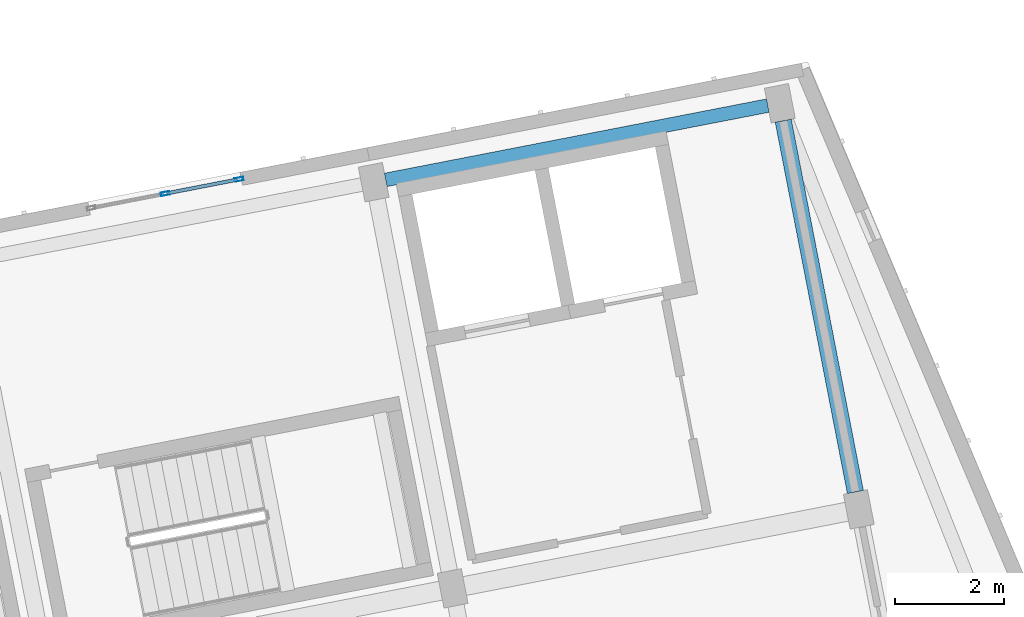
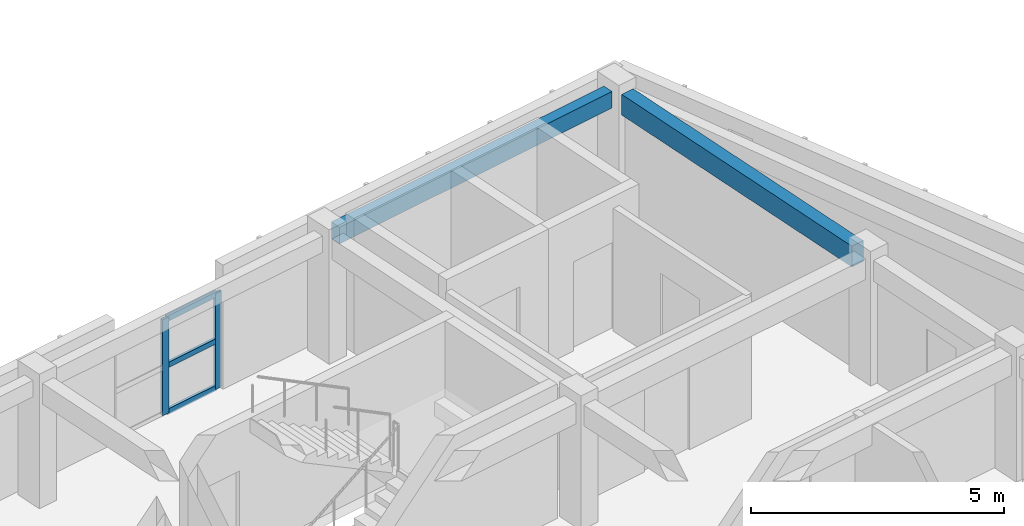
# One storey, part 10 of 65: 5 members, 2 beams, 1 element without a shape of its own.
"""IFC4 building model written with IfcOpenShell, lengths in metres."""

from ifc_helpers import new_model, si_unit, direction, frame, origin, origin_2d, place, context, subcontext, project, spatial, rectangle, hollow_rectangle, extrude, material, material_profile, profile_set, type_object, element, aggregate, save


model = new_model("IFC4")

# Units and contexts
model_context = context("Model", 3, precision=1e-05, world=origin(), true_north=direction((0.0, 1.0)))
body_context = subcontext(model_context, "Body", "Model", "MODEL_VIEW")
ifc_project = project(units=[si_unit("LENGTHUNIT", "METRE"), si_unit("AREAUNIT", "SQUARE_METRE"), si_unit("VOLUMEUNIT", "CUBIC_METRE"), si_unit("PLANEANGLEUNIT", "RADIAN"), si_unit("MASSUNIT", "GRAM", prefix="KILO")], contexts=[model_context])

# Site, building, storey
site_placement = place(None, origin())
site = spatial("IfcSite", under=ifc_project, at=site_placement, CompositionType="ELEMENT")
building_placement = place(site_placement, origin())
building = spatial("IfcBuilding", under=site, at=building_placement, Name="Kestramere Prow Commons", CompositionType="ELEMENT")
storey_placement = place(building_placement, frame((0.0, 0.0, 21.39990234375)))
storey = spatial("IfcBuildingStorey", under=building, at=storey_placement, Name="L06", CompositionType="ELEMENT", Elevation=21.39990234375)

# Beam
ifc_material_1 = material(Name="Precast concrete C40/50", Category="concrete")
ifc_material_profile_1 = material_profile(ifc_material_1, rectangle(XDim=0.300048828125, YDim=0.5, at=origin_2d()), Name="PC-BM 300x500")
ifc_profile_set_1 = profile_set([ifc_material_profile_1], Name="Precast concrete C40/50")
beam_type_1 = type_object("IfcBeamType", Name="BM-TIE-01 PC-BM 300x500", PredefinedType="BEAM", material=ifc_profile_set_1)
beam_1_placement = place(storey_placement, frame((160.810546875, 54.799560546875, 2.75), z_axis=(-0.190817005532, 0.981625626397, 0.0), x_axis=(-0.981625626397, -0.190817005532, 0.0)))
element("IfcBeam", 1, at=beam_1_placement, inside=storey, type_object=beam_type_1, Name="Block D L06 Transverse Beam 7-3", PredefinedType="BEAM", context=body_context, shape_type="SweptSolid", body=[
    extrude(rectangle(XDim=0.300048828125, YDim=0.5, at=origin_2d()), origin(), (0.0, 0.0, 1.0), 6.949951171875),
])

# Curtain wall, members
ifc_material_2 = material(Name="Anodised Aluminium and Low-E Glass", Category="aluminium")
curtain_wall_type = type_object("IfcCurtainWallType", Name="CW-03 Glazed Curtain Wall 2830x2320", PredefinedType="USERDEFINED", material=ifc_material_2)
curtain_wall_placement = place(storey_placement, origin())
curtain_wall = element("IfcCurtainWall", 2, at=curtain_wall_placement, inside=storey, type_object=curtain_wall_type, Name="Block D L06 Stairwell Vertical Glazing 5", ObjectType="GLAZED CURTAIN WALL", PredefinedType="USERDEFINED")
ifc_material_3 = material(Name="Anodised Aluminium 6063-T6", Category="aluminium")
ifc_material_profile_2 = material_profile(ifc_material_3, hollow_rectangle(XDim=0.06494140625, YDim=0.159912109375, WallThickness=0.00390625, at=origin_2d()), Name="ALU-MUL 65x160")
ifc_profile_set_2 = profile_set([ifc_material_profile_2], Name="Anodised Aluminium 6063-T6")
member_type_1 = type_object("IfcMemberType", Name="CW-MUL-65x160", PredefinedType="MULLION", material=ifc_profile_set_2)
member_1_placement = place(storey_placement, frame((148.131591796875, 60.281005859375, 0.0), z_axis=(0.0, 0.0, 1.0), x_axis=(-0.190808835118, 0.981627214599, 0.0)))
member_1 = element("IfcMember", 3, at=member_1_placement, type_object=member_type_1, Name="CW-03 mullion 2", PredefinedType="MULLION", context=body_context, shape_type="SweptSolid", body=[
    extrude(hollow_rectangle(XDim=0.06494140625, YDim=0.159912109375, WallThickness=0.00390625, at=origin_2d()), origin(), (0.0, 0.0, 1.0), 2.320068359375),
])
member_2_placement = place(storey_placement, frame((149.48876953125, 60.544677734375, 0.0), z_axis=(0.0, 0.0, 1.0), x_axis=(-0.190808835118, 0.981627214599, 0.0)))
member_2 = element("IfcMember", 4, at=member_2_placement, type_object=member_type_1, Name="CW-03 mullion 3", PredefinedType="MULLION", context=body_context, shape_type="SweptSolid", body=[
    extrude(hollow_rectangle(XDim=0.06494140625, YDim=0.159912109375, WallThickness=0.00390625, at=origin_2d()), origin(), (0.0, 0.0, 1.0), 2.320068359375),
])
ifc_material_profile_3 = material_profile(ifc_material_3, hollow_rectangle(XDim=0.06494140625, YDim=0.1298828125, WallThickness=0.00390625, at=origin_2d()), Name="ALU-TRN 65x130")
ifc_profile_set_3 = profile_set([ifc_material_profile_3], Name="Anodised Aluminium 6063-T6")
member_type_2 = type_object("IfcMemberType", Name="CW-TRN-65x130", PredefinedType="USERDEFINED", material=ifc_profile_set_3)
member_3_placement = place(storey_placement, frame((148.16357421875, 60.287109375, 0.03271484375), z_axis=(0.981614425191, 0.190874619208, 0.0), x_axis=(-0.190874619208, 0.981614425191, 0.0)))
member_3 = element("IfcMember", 5, at=member_3_placement, type_object=member_type_2, Name="CW-03 transom 2.1", ObjectType="TRANSOM", PredefinedType="USERDEFINED", context=body_context, shape_type="SweptSolid", body=[
    extrude(hollow_rectangle(XDim=0.06494140625, YDim=0.1298828125, WallThickness=0.00390625, at=origin_2d()), origin(), (0.0, 0.0, 1.0), 1.3173828125),
])
member_4_placement = place(storey_placement, frame((148.16357421875, 60.287109375, 1.16015625), z_axis=(0.981614425191, 0.190874619208, 0.0), x_axis=(-0.190874619208, 0.981614425191, 0.0)))
member_4 = element("IfcMember", 6, at=member_4_placement, type_object=member_type_2, Name="CW-03 transom 2.2", ObjectType="TRANSOM", PredefinedType="USERDEFINED", context=body_context, shape_type="SweptSolid", body=[
    extrude(hollow_rectangle(XDim=0.06494140625, YDim=0.1298828125, WallThickness=0.00390625, at=origin_2d()), origin(), (0.0, 0.0, 1.0), 1.3173828125),
])
member_5_placement = place(storey_placement, frame((148.16357421875, 60.287109375, 2.28759765625), z_axis=(0.981614425191, 0.190874619208, 0.0), x_axis=(-0.190874619208, 0.981614425191, 0.0)))
member_5 = element("IfcMember", 7, at=member_5_placement, type_object=member_type_2, Name="CW-03 transom 2.3", ObjectType="TRANSOM", PredefinedType="USERDEFINED", context=body_context, shape_type="SweptSolid", body=[
    extrude(hollow_rectangle(XDim=0.06494140625, YDim=0.1298828125, WallThickness=0.00390625, at=origin_2d()), origin(), (0.0, 0.0, 1.0), 1.3173828125),
])
aggregate(curtain_wall, [member_1, member_2, member_3, member_4, member_5])

# Beam
ifc_material_profile_4 = material_profile(ifc_material_1, rectangle(XDim=0.25, YDim=0.39990234375, at=origin_2d()), Name="PC-SP 250x400")
ifc_profile_set_4 = profile_set([ifc_material_profile_4], Name="Precast concrete C40/50")
beam_type_2 = type_object("IfcBeamType", Name="SP-EXT-01 PC-SP 250x400", PredefinedType="SPANDREL", material=ifc_profile_set_4)
beam_2_placement = place(storey_placement, frame((152.182861328125, 60.533447265625, 2.800048828125), z_axis=(0.981621075955, 0.19084041302, 0.0), x_axis=(-0.19084041302, 0.981621075955, 0.0)))
element("IfcBeam", 8, at=beam_2_placement, inside=storey, type_object=beam_type_2, Name="Block D L06 Longitudinal Beam 4-6", PredefinedType="SPANDREL", context=body_context, shape_type="SweptSolid", body=[
    extrude(rectangle(XDim=0.25, YDim=0.39990234375, at=origin_2d()), origin(), (0.0, 0.0, 1.0), 7.14990234375),
])

save(model, "model.ifc")
